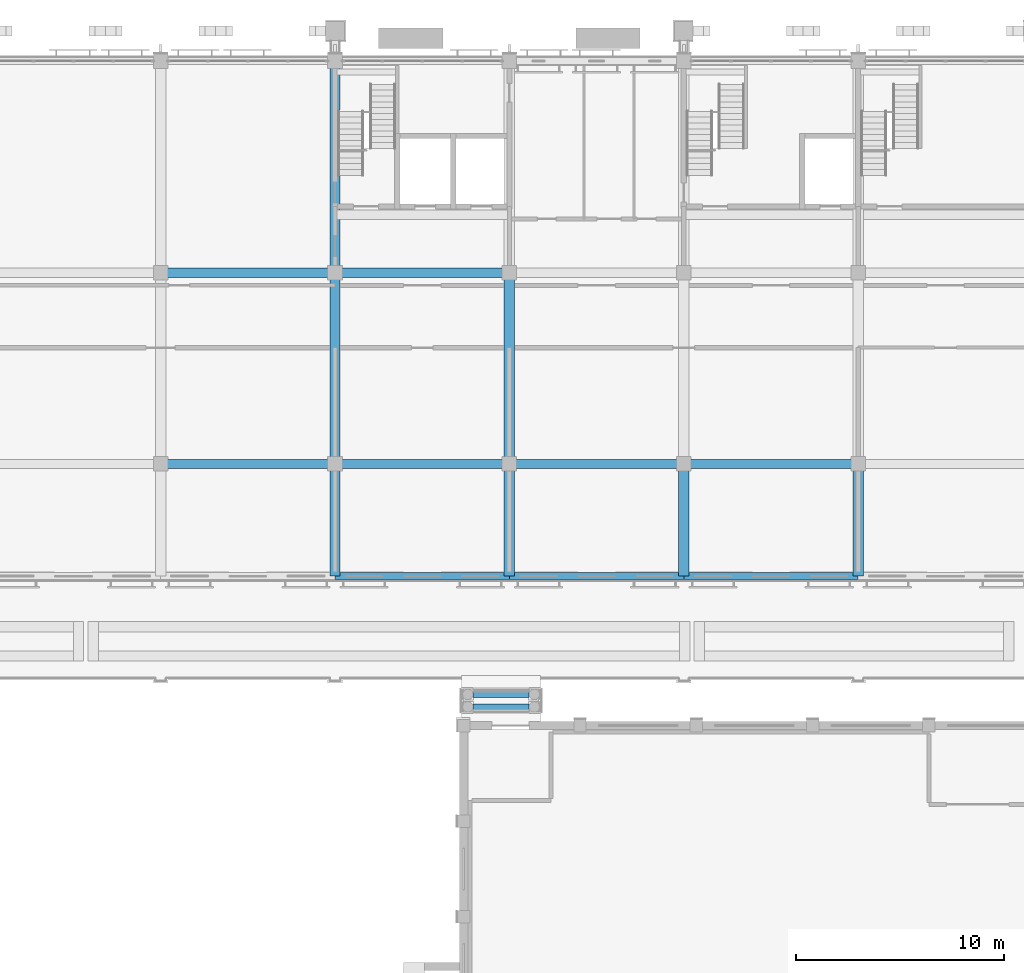
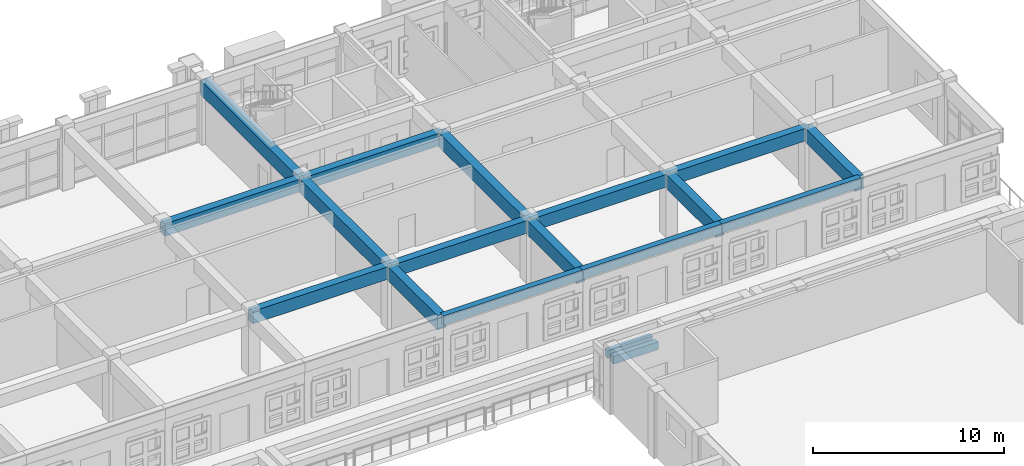
# One storey, part 27 of 99: 18 beams.
"""IFC4 building model written with IfcOpenShell, lengths in metres."""

from ifc_helpers import new_model, si_unit, direction, frame, origin, origin_2d, place, context, subcontext, project, spatial, rectangle, extrude, material, material_profile, profile_set, type_object, element, save


model = new_model("IFC4")

# Units and contexts
model_context = context("Model", 3, precision=1e-05, world=origin(), true_north=direction((0.0, 1.0)))
body_context = subcontext(model_context, "Body", "Model", "MODEL_VIEW")
ifc_project = project(units=[si_unit("LENGTHUNIT", "METRE"), si_unit("AREAUNIT", "SQUARE_METRE"), si_unit("VOLUMEUNIT", "CUBIC_METRE"), si_unit("PLANEANGLEUNIT", "RADIAN"), si_unit("MASSUNIT", "GRAM", prefix="KILO")], contexts=[model_context])

# Site, building, storey
site_placement = place(None, origin())
site = spatial("IfcSite", under=ifc_project, at=site_placement, CompositionType="ELEMENT")
building_placement = place(site_placement, origin())
building = spatial("IfcBuilding", under=site, at=building_placement, Name="Wasatch Bagh Community Centre", CompositionType="ELEMENT")
storey_placement = place(building_placement, frame((0.0, 0.0, 4.199951171875)))
storey = spatial("IfcBuildingStorey", under=building, at=storey_placement, Name="L01", CompositionType="ELEMENT", Elevation=4.199951171875)

# Beams
ifc_material = material(Name="Concrete C35", Category="concrete")
ifc_material_profile_1 = material_profile(ifc_material, rectangle(XDim=0.35009765625, YDim=0.60009765625, at=origin_2d()), Name="RC 350x600")
ifc_profile_set_1 = profile_set([ifc_material_profile_1], Name="Concrete C35")
beam_type_1 = type_object("IfcBeamType", Name="LW RC 350x600", PredefinedType="BEAM", material=ifc_profile_set_1)
beam_1_placement = place(storey_placement, frame((106.0, 73.0, 3.6201171875), z_axis=(1.0, 0.0, 0.0), x_axis=(0.0, 1.0, 0.0)))
element("IfcBeam", 1, at=beam_1_placement, inside=storey, type_object=beam_type_1, Name="W6-W7tip", PredefinedType="BEAM", context=body_context, shape_type="SweptSolid", body=[
    extrude(rectangle(XDim=0.35009765625, YDim=0.60009765625, at=origin_2d()), origin(), (0.0, 0.0, 1.0), 8.39990234375),
])
beam_2_placement = place(storey_placement, frame((114.39990234375, 73.0, 3.6201171875), z_axis=(1.0, 0.0, 0.0), x_axis=(0.0, 1.0, 0.0)))
element("IfcBeam", 2, at=beam_2_placement, inside=storey, type_object=beam_type_1, Name="W7-W8tip", PredefinedType="BEAM", context=body_context, shape_type="SweptSolid", body=[
    extrude(rectangle(XDim=0.35009765625, YDim=0.60009765625, at=origin_2d()), origin(), (0.0, 0.0, 1.0), 8.400146484375),
])
beam_3_placement = place(storey_placement, frame((122.800048828125, 73.0, 3.6201171875), z_axis=(1.0, 0.0, 0.0), x_axis=(0.0, 1.0, 0.0)))
element("IfcBeam", 3, at=beam_3_placement, inside=storey, type_object=beam_type_1, Name="W8-W9tip", PredefinedType="BEAM", context=body_context, shape_type="SweptSolid", body=[
    extrude(rectangle(XDim=0.35009765625, YDim=0.60009765625, at=origin_2d()), origin(), (0.0, 0.0, 1.0), 8.39990234375),
])
ifc_material_profile_2 = material_profile(ifc_material, rectangle(XDim=0.449951171875, YDim=0.800048828125, at=origin_2d()), Name="RC 450x800")
ifc_profile_set_2 = profile_set([ifc_material_profile_2], Name="Concrete C35")
beam_type_2 = type_object("IfcBeamType", Name="LW RC 450x800", PredefinedType="BEAM", material=ifc_profile_set_2)
for number, where, z_axis, x_axis, name in (
    (4, (97.60009765625, 78.39990234375, 3.52001953125), (1.0, 0.0, 0.0), (0.0, 1.0, 0.0), "W5-W6S"),
    (5, (106.0, 78.39990234375, 3.52001953125), (1.0, 0.0, 0.0), (0.0, 1.0, 0.0), "W6-W7S"),
):
    element("IfcBeam", number, at=place(storey_placement, frame(where, z_axis=z_axis, x_axis=x_axis)), inside=storey, type_object=beam_type_2, Name=name, PredefinedType="BEAM", context=body_context, shape_type="SweptSolid", body=[
        extrude(rectangle(XDim=0.449951171875, YDim=0.800048828125, at=origin_2d()), origin(), (0.0, 0.0, 1.0), 8.39990234375),
    ])
beam_4_placement = place(storey_placement, frame((114.39990234375, 78.39990234375, 3.52001953125), z_axis=(1.0, 0.0, 0.0), x_axis=(0.0, 1.0, 0.0)))
element("IfcBeam", 6, at=beam_4_placement, inside=storey, type_object=beam_type_2, Name="W7-W8S", PredefinedType="BEAM", context=body_context, shape_type="SweptSolid", body=[
    extrude(rectangle(XDim=0.449951171875, YDim=0.800048828125, at=origin_2d()), origin(), (0.0, 0.0, 1.0), 8.400146484375),
])
for number, where, z_axis, x_axis, name in (
    (7, (122.800048828125, 78.39990234375, 3.52001953125), (1.0, 0.0, 0.0), (0.0, 1.0, 0.0), "W8-W9S"),
    (8, (97.60009765625, 87.60009765625, 3.52001953125), (1.0, 0.0, 0.0), (0.0, 1.0, 0.0), "W5-W6M"),
    (9, (106.0, 87.60009765625, 3.52001953125), (1.0, 0.0, 0.0), (0.0, 1.0, 0.0), "W6-W7M"),
):
    element("IfcBeam", number, at=place(storey_placement, frame(where, z_axis=z_axis, x_axis=x_axis)), inside=storey, type_object=beam_type_2, Name=name, PredefinedType="BEAM", context=body_context, shape_type="SweptSolid", body=[
        extrude(rectangle(XDim=0.449951171875, YDim=0.800048828125, at=origin_2d()), origin(), (0.0, 0.0, 1.0), 8.39990234375),
    ])
ifc_material_profile_3 = material_profile(ifc_material, rectangle(XDim=0.5, YDim=0.89990234375, at=origin_2d()), Name="RC 500x900")
ifc_profile_set_3 = profile_set([ifc_material_profile_3], Name="Concrete C35")
beam_type_3 = type_object("IfcBeamType", Name="LW RC 500x900", PredefinedType="BEAM", material=ifc_profile_set_3)
beam_5_placement = place(storey_placement, frame((106.0, 78.39990234375, 3.469970703125), z_axis=(0.0, 1.0, 0.0), x_axis=(-1.0, 0.0, 0.0)))
element("IfcBeam", 10, at=beam_5_placement, inside=storey, type_object=beam_type_3, Name="W6S-M", PredefinedType="BEAM", context=body_context, shape_type="SweptSolid", body=[
    extrude(rectangle(XDim=0.5, YDim=0.89990234375, at=origin_2d()), origin(), (0.0, 0.0, 1.0), 9.2001953125),
])
beam_6_placement = place(storey_placement, frame((106.0, 87.60009765625, 3.469970703125), z_axis=(0.0, 1.0, 0.0), x_axis=(-1.0, 0.0, 0.0)))
element("IfcBeam", 11, at=beam_6_placement, inside=storey, type_object=beam_type_3, Name="W6M-N", PredefinedType="BEAM", context=body_context, shape_type="SweptSolid", body=[
    extrude(rectangle(XDim=0.5, YDim=0.89990234375, at=origin_2d()), origin(), (0.0, 0.0, 1.0), 10.199951171875),
])
beam_7_placement = place(storey_placement, frame((114.39990234375, 78.39990234375, 3.469970703125), z_axis=(0.0, 1.0, 0.0), x_axis=(-1.0, 0.0, 0.0)))
element("IfcBeam", 12, at=beam_7_placement, inside=storey, type_object=beam_type_3, Name="W7S-M", PredefinedType="BEAM", context=body_context, shape_type="SweptSolid", body=[
    extrude(rectangle(XDim=0.5, YDim=0.89990234375, at=origin_2d()), origin(), (0.0, 0.0, 1.0), 9.2001953125),
])
for number, where, z_axis, x_axis, name in (
    (13, (106.0, 78.39990234375, 3.469970703125), (0.0, -1.0, 0.0), (1.0, 0.0, 0.0), "W6S-tip"),
    (14, (114.39990234375, 78.39990234375, 3.469970703125), (0.0, -1.0, 0.0), (1.0, 0.0, 0.0), "W7S-tip"),
    (15, (122.800048828125, 78.39990234375, 3.469970703125), (0.0, -1.0, 0.0), (1.0, 0.0, 0.0), "W8S-tip"),
    (16, (131.199951171875, 78.39990234375, 3.469970703125), (0.0, -1.0, 0.0), (1.0, 0.0, 0.0), "W9S-tip"),
):
    element("IfcBeam", number, at=place(storey_placement, frame(where, z_axis=z_axis, x_axis=x_axis)), inside=storey, type_object=beam_type_3, Name=name, PredefinedType="BEAM", context=body_context, shape_type="SweptSolid", body=[
        extrude(rectangle(XDim=0.5, YDim=0.89990234375, at=origin_2d()), origin(), (0.0, 0.0, 1.0), 5.39990234375),
    ])
ifc_material_profile_4 = material_profile(ifc_material, rectangle(XDim=0.300048828125, YDim=0.5, at=origin_2d()), Name="RC 300x500")
ifc_profile_set_4 = profile_set([ifc_material_profile_4], Name="Concrete C35")
beam_type_4 = type_object("IfcBeamType", Name="PA-B1", PredefinedType="BEAM", material=ifc_profile_set_4)
for number, where, z_axis, x_axis, name in (
    (17, (112.64990234375, 66.699951171875, 2.570068359375), (1.0, 0.0, 0.0), (0.0, 1.0, 0.0), "PA-B1 beam PA3.1"),
    (18, (112.64990234375, 67.300048828125, 2.570068359375), (1.0, 0.0, 0.0), (0.0, 1.0, 0.0), "PA-B1 beam PA3.2"),
):
    element("IfcBeam", number, at=place(storey_placement, frame(where, z_axis=z_axis, x_axis=x_axis)), inside=storey, type_object=beam_type_4, Name=name, PredefinedType="BEAM", context=body_context, shape_type="SweptSolid", body=[
        extrude(rectangle(XDim=0.300048828125, YDim=0.5, at=origin_2d()), origin(), (0.0, 0.0, 1.0), 2.7001953125),
    ])

save(model, "model.ifc")
